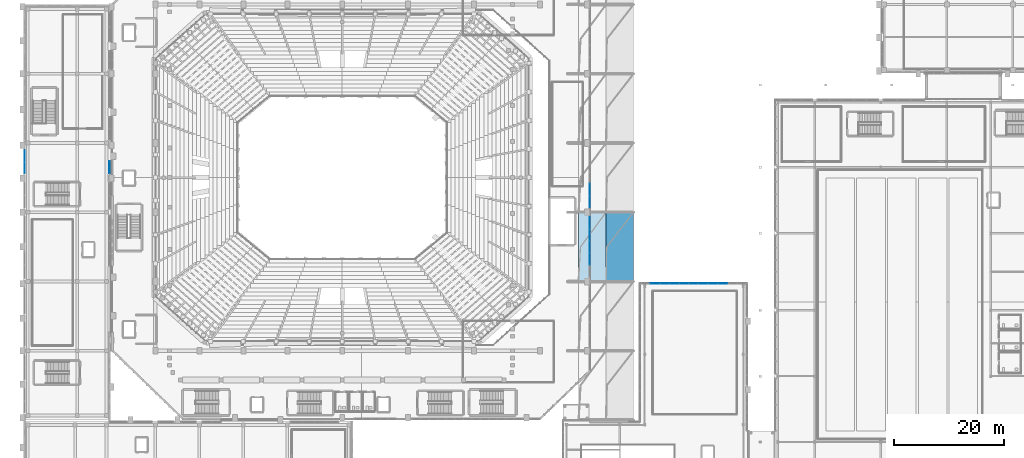
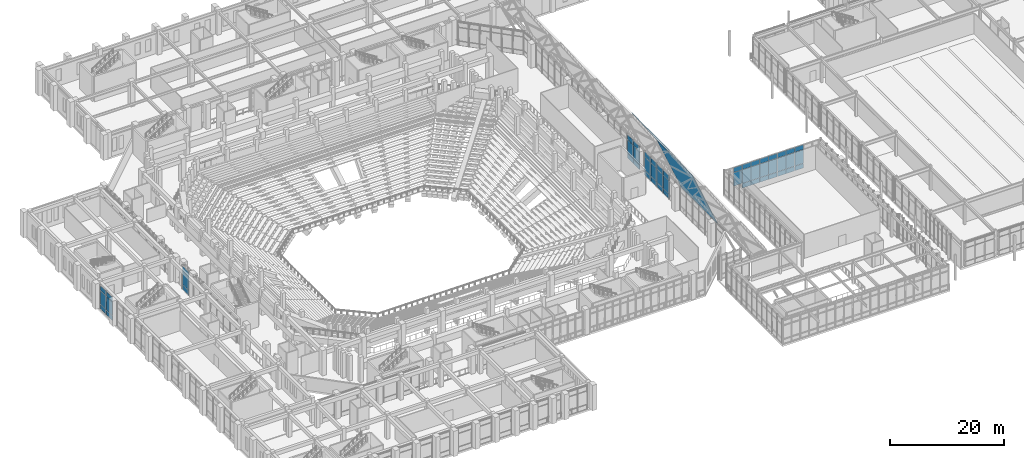
# One storey, part 98 of 159: 52 plates, 5 elements without a shape of their own.
"""IFC4 building model written with IfcOpenShell, lengths in metres."""

from ifc_helpers import new_model, si_unit, derived_unit, direction, frame, origin, origin_2d, place, context, subcontext, project, spatial, polyline, rectangle, outline, extrude, material, layer, layer_set, type_object, element, aggregate, save


model = new_model("IFC4")

# Units and contexts
model_context = context("Model", 3, precision=1e-05, world=origin(), true_north=direction((0.0, 1.0)))
body_context = subcontext(model_context, "Body", "Model", "MODEL_VIEW")
ifc_project = project(units=[si_unit("LENGTHUNIT", "METRE"), si_unit("AREAUNIT", "SQUARE_METRE"), si_unit("VOLUMEUNIT", "CUBIC_METRE"), si_unit("PLANEANGLEUNIT", "RADIAN"), si_unit("MASSUNIT", "GRAM", prefix="KILO"), derived_unit("THERMALTRANSMITTANCEUNIT", [(si_unit("MASSUNIT", "GRAM", prefix="KILO"), 1), (si_unit("TIMEUNIT", "SECOND"), -3), (si_unit("THERMODYNAMICTEMPERATUREUNIT", "KELVIN"), -1)])], contexts=[model_context])

# Site, building, storey
site_placement = place(None, origin())
site = spatial("IfcSite", under=ifc_project, at=site_placement, CompositionType="ELEMENT")
building_placement = place(site_placement, origin())
building = spatial("IfcBuilding", under=site, at=building_placement, Name="Valcora Ridge Arena", CompositionType="ELEMENT")
storey_placement = place(building_placement, frame((0.0, 0.0, 6.0)))
storey = spatial("IfcBuildingStorey", under=building, at=storey_placement, Name="L01", CompositionType="ELEMENT", Elevation=6.0)

# Plates
ifc_material_1 = material(Name="Steel ASTM A572 Grade 50", Category="steel")
ifc_layer_1 = layer(ifc_material_1, 0.048095703125, Name="Steel ASTM A572 Grade 50")
ifc_layer_set_1 = layer_set([ifc_layer_1], Name="Steel ASTM A572 Grade 50")
plate_type_1 = type_object("IfcPlateType", Name="TY-PLATE-PL-SKIRT-13", PredefinedType="SHEET", material=ifc_layer_set_1)
plate_1_placement = place(storey_placement, frame((101.0, 45.199951171875, 13.45361328125), z_axis=(0.831958588032, 0.0, 0.554837731053), x_axis=(0.554837731053, 0.0, -0.831958588032)))
element("IfcPlate", 1, at=plate_1_placement, inside=storey, type_object=plate_type_1, Name="PL-SKIRT-13 PLT-RF-0005", PredefinedType="SHEET", context=body_context, shape_type="SweptSolid", body=[
    extrude(outline(polyline([(0.0, 0.0), (9.0116438017177, 0.0), (9.0116438017177, 12.60009765625), (0.0, 12.60009765625), (0.0, 0.0)])), origin(), (0.0, 0.0, -1.0), 0.048095703125),
])
ifc_layer_2 = layer(ifc_material_1, 0.048095703125, Name="Steel ASTM A572 Grade 50")
ifc_layer_set_2 = layer_set([ifc_layer_2], Name="Steel ASTM A572 Grade 50")
plate_type_2 = type_object("IfcPlateType", Name="TY-PLATE-PL-SKIRT-14", PredefinedType="SHEET", material=ifc_layer_set_2)
plate_2_placement = place(storey_placement, frame((106.0, 45.199951171875, 5.956298828125), z_axis=(0.922302243293, 0.0, 0.386469367501), x_axis=(0.386469367501, 0.0, -0.922302243293)))
element("IfcPlate", 2, at=plate_2_placement, inside=storey, type_object=plate_type_2, Name="PL-SKIRT-14 PLT-RF-0006", PredefinedType="SHEET", context=body_context, shape_type="SweptSolid", body=[
    extrude(outline(polyline([(0.0, 0.0), (12.963536535956582, 0.0), (12.963536535956582, 12.600097656250004), (0.0, 12.600097656250004), (0.0, 0.0)])), origin(), (0.0, 0.0, -1.0), 0.048095703125),
])

# Curtain wall, plates
ifc_material_2 = material(Name="Anodised dark bronze architectural aluminium 6063-T6", Category="aluminium")
ifc_layer_3 = layer(ifc_material_2, 0.179931640625, Name="Anodised dark bronze architectural aluminium 6063-T6")
ifc_layer_set_3 = layer_set([ifc_layer_3], Name="Anodised dark bronze architectural aluminium 6063-T6")
curtain_wall_type_1 = type_object("IfcCurtainWallType", Name="TY-CURTAINWALL-CW-V3-LANCET-194X51", PredefinedType="NOTDEFINED", material=ifc_layer_set_3)
curtain_wall_1_placement = place(storey_placement, origin())
curtain_wall_1 = element("IfcCurtainWall", 3, at=curtain_wall_1_placement, inside=storey, type_object=curtain_wall_type_1, Name="CW-V3-LANCET-194X51 CW-0017", PredefinedType="NOTDEFINED")
ifc_material_3 = material(Name="Low-iron solar-control double glazing SHGC 0.28", Category="glass")
ifc_layer_4 = layer(ifc_material_3, 0.031982421875, Name="Low-iron solar-control double glazing SHGC 0.28")
ifc_layer_set_4 = layer_set([ifc_layer_4], Name="Low-iron solar-control double glazing SHGC 0.28")
plate_type_3 = type_object("IfcPlateType", Name="TY-PLT-CWP-1708X0960", PredefinedType="CURTAIN_PANEL", material=ifc_layer_set_4)
plate_3_placement = place(storey_placement, frame((118.388916015625, 44.85009765625, 0.06005859375), z_axis=(0.0, 0.0, 1.0), x_axis=(1.0, 0.0, 0.0)))
plate_3 = element("IfcPlate", 4, at=plate_3_placement, type_object=plate_type_3, Name="CW-0017/P03-00", PredefinedType="CURTAIN_PANEL", context=body_context, shape_type="SweptSolid", body=[
    extrude(rectangle(XDim=1.7080078125, YDim=0.031982421875, at=origin_2d()), origin(), (0.0, 0.0, 1.0), 0.9599609375),
])
plate_4_placement = place(storey_placement, frame((120.156982421875, 44.85009765625, 0.06005859375), z_axis=(0.0, 0.0, 1.0), x_axis=(1.0, 0.0, 0.0)))
plate_4 = element("IfcPlate", 5, at=plate_4_placement, type_object=plate_type_3, Name="CW-0017/P04-00", PredefinedType="CURTAIN_PANEL", context=body_context, shape_type="SweptSolid", body=[
    extrude(rectangle(XDim=1.7080078125, YDim=0.031982421875, at=origin_2d()), origin(), (0.0, 0.0, 1.0), 0.9599609375),
])
plate_5_placement = place(storey_placement, frame((121.925048828125, 44.85009765625, 0.06005859375), z_axis=(0.0, 0.0, 1.0), x_axis=(1.0, 0.0, 0.0)))
plate_5 = element("IfcPlate", 6, at=plate_5_placement, type_object=plate_type_3, Name="CW-0017/P05-00", PredefinedType="CURTAIN_PANEL", context=body_context, shape_type="SweptSolid", body=[
    extrude(rectangle(XDim=1.7080078125, YDim=0.031982421875, at=origin_2d()), origin(), (0.0, 0.0, 1.0), 0.9599609375),
])
plate_6_placement = place(storey_placement, frame((123.693115234375, 44.85009765625, 0.06005859375), z_axis=(0.0, 0.0, 1.0), x_axis=(1.0, 0.0, 0.0)))
plate_6 = element("IfcPlate", 7, at=plate_6_placement, type_object=plate_type_3, Name="CW-0017/P06-00", PredefinedType="CURTAIN_PANEL", context=body_context, shape_type="SweptSolid", body=[
    extrude(rectangle(XDim=1.7080078125, YDim=0.031982421875, at=origin_2d()), origin(), (0.0, 0.0, 1.0), 0.9599609375),
])
plate_7_placement = place(storey_placement, frame((125.4609375, 44.85009765625, 0.06005859375), z_axis=(0.0, 0.0, 1.0), x_axis=(1.0, 0.0, 0.0)))
plate_7 = element("IfcPlate", 8, at=plate_7_placement, type_object=plate_type_3, Name="CW-0017/P07-00", PredefinedType="CURTAIN_PANEL", context=body_context, shape_type="SweptSolid", body=[
    extrude(rectangle(XDim=1.7080078125, YDim=0.031982421875, at=origin_2d()), origin(), (0.0, 0.0, 1.0), 0.9599609375),
])
ifc_layer_5 = layer(ifc_material_3, 0.031982421875, Name="Low-iron solar-control double glazing SHGC 0.28")
ifc_layer_set_5 = layer_set([ifc_layer_5], Name="Low-iron solar-control double glazing SHGC 0.28")
plate_type_4 = type_object("IfcPlateType", Name="TY-PLT-CWP-1708X1010", PredefinedType="CURTAIN_PANEL", material=ifc_layer_set_5)
plate_8_placement = place(storey_placement, frame((114.85205078125, 44.85009765625, 4.02978515625), z_axis=(0.0, 0.0, 1.0), x_axis=(1.0, 0.0, 0.0)))
plate_8 = element("IfcPlate", 9, at=plate_8_placement, type_object=plate_type_4, Name="CW-0017/P01-02", PredefinedType="CURTAIN_PANEL", context=body_context, shape_type="SweptSolid", body=[
    extrude(rectangle(XDim=1.7080078125, YDim=0.031982421875, at=origin_2d()), origin(), (0.0, 0.0, 1.0), 1.010009765625),
])
plate_9_placement = place(storey_placement, frame((118.388916015625, 44.85009765625, 4.02978515625), z_axis=(0.0, 0.0, 1.0), x_axis=(1.0, 0.0, 0.0)))
plate_9 = element("IfcPlate", 10, at=plate_9_placement, type_object=plate_type_4, Name="CW-0017/P03-02", PredefinedType="CURTAIN_PANEL", context=body_context, shape_type="SweptSolid", body=[
    extrude(rectangle(XDim=1.7080078125, YDim=0.031982421875, at=origin_2d()), origin(), (0.0, 0.0, 1.0), 1.010009765625),
])
plate_10_placement = place(storey_placement, frame((120.156982421875, 44.85009765625, 4.02978515625), z_axis=(0.0, 0.0, 1.0), x_axis=(1.0, 0.0, 0.0)))
plate_10 = element("IfcPlate", 11, at=plate_10_placement, type_object=plate_type_4, Name="CW-0017/P04-02", PredefinedType="CURTAIN_PANEL", context=body_context, shape_type="SweptSolid", body=[
    extrude(rectangle(XDim=1.7080078125, YDim=0.031982421875, at=origin_2d()), origin(), (0.0, 0.0, 1.0), 1.010009765625),
])
plate_11_placement = place(storey_placement, frame((121.925048828125, 44.85009765625, 4.02978515625), z_axis=(0.0, 0.0, 1.0), x_axis=(1.0, 0.0, 0.0)))
plate_11 = element("IfcPlate", 12, at=plate_11_placement, type_object=plate_type_4, Name="CW-0017/P05-02", PredefinedType="CURTAIN_PANEL", context=body_context, shape_type="SweptSolid", body=[
    extrude(rectangle(XDim=1.7080078125, YDim=0.031982421875, at=origin_2d()), origin(), (0.0, 0.0, 1.0), 1.010009765625),
])
plate_12_placement = place(storey_placement, frame((123.693115234375, 44.85009765625, 4.02978515625), z_axis=(0.0, 0.0, 1.0), x_axis=(1.0, 0.0, 0.0)))
plate_12 = element("IfcPlate", 13, at=plate_12_placement, type_object=plate_type_4, Name="CW-0017/P06-02", PredefinedType="CURTAIN_PANEL", context=body_context, shape_type="SweptSolid", body=[
    extrude(rectangle(XDim=1.7080078125, YDim=0.031982421875, at=origin_2d()), origin(), (0.0, 0.0, 1.0), 1.010009765625),
])
plate_13_placement = place(storey_placement, frame((125.4609375, 44.85009765625, 4.02978515625), z_axis=(0.0, 0.0, 1.0), x_axis=(1.0, 0.0, 0.0)))
plate_13 = element("IfcPlate", 14, at=plate_13_placement, type_object=plate_type_4, Name="CW-0017/P07-02", PredefinedType="CURTAIN_PANEL", context=body_context, shape_type="SweptSolid", body=[
    extrude(rectangle(XDim=1.7080078125, YDim=0.031982421875, at=origin_2d()), origin(), (0.0, 0.0, 1.0), 1.010009765625),
])
ifc_layer_6 = layer(ifc_material_3, 0.031982421875, Name="Low-iron solar-control double glazing SHGC 0.28")
ifc_layer_set_6 = layer_set([ifc_layer_6], Name="Low-iron solar-control double glazing SHGC 0.28")
plate_type_5 = type_object("IfcPlateType", Name="TY-PLT-CWP-1708X2890", PredefinedType="CURTAIN_PANEL", material=ifc_layer_set_6)
plate_14_placement = place(storey_placement, frame((114.85205078125, 44.85009765625, 1.080078125), z_axis=(0.0, 0.0, 1.0), x_axis=(1.0, 0.0, 0.0)))
plate_14 = element("IfcPlate", 15, at=plate_14_placement, type_object=plate_type_5, Name="CW-0017/P01-01", PredefinedType="CURTAIN_PANEL", context=body_context, shape_type="SweptSolid", body=[
    extrude(rectangle(XDim=1.7080078125, YDim=0.031982421875, at=origin_2d()), origin(), (0.0, 0.0, 1.0), 2.889892578125),
])
plate_15_placement = place(storey_placement, frame((118.388916015625, 44.85009765625, 1.080078125), z_axis=(0.0, 0.0, 1.0), x_axis=(1.0, 0.0, 0.0)))
plate_15 = element("IfcPlate", 16, at=plate_15_placement, type_object=plate_type_5, Name="CW-0017/P03-01", PredefinedType="CURTAIN_PANEL", context=body_context, shape_type="SweptSolid", body=[
    extrude(rectangle(XDim=1.7080078125, YDim=0.031982421875, at=origin_2d()), origin(), (0.0, 0.0, 1.0), 2.889892578125),
])
plate_16_placement = place(storey_placement, frame((120.156982421875, 44.85009765625, 1.080078125), z_axis=(0.0, 0.0, 1.0), x_axis=(1.0, 0.0, 0.0)))
plate_16 = element("IfcPlate", 17, at=plate_16_placement, type_object=plate_type_5, Name="CW-0017/P04-01", PredefinedType="CURTAIN_PANEL", context=body_context, shape_type="SweptSolid", body=[
    extrude(rectangle(XDim=1.7080078125, YDim=0.031982421875, at=origin_2d()), origin(), (0.0, 0.0, 1.0), 2.889892578125),
])
plate_17_placement = place(storey_placement, frame((121.925048828125, 44.85009765625, 1.080078125), z_axis=(0.0, 0.0, 1.0), x_axis=(1.0, 0.0, 0.0)))
plate_17 = element("IfcPlate", 18, at=plate_17_placement, type_object=plate_type_5, Name="CW-0017/P05-01", PredefinedType="CURTAIN_PANEL", context=body_context, shape_type="SweptSolid", body=[
    extrude(rectangle(XDim=1.7080078125, YDim=0.031982421875, at=origin_2d()), origin(), (0.0, 0.0, 1.0), 2.889892578125),
])
plate_18_placement = place(storey_placement, frame((123.693115234375, 44.85009765625, 1.080078125), z_axis=(0.0, 0.0, 1.0), x_axis=(1.0, 0.0, 0.0)))
plate_18 = element("IfcPlate", 19, at=plate_18_placement, type_object=plate_type_5, Name="CW-0017/P06-01", PredefinedType="CURTAIN_PANEL", context=body_context, shape_type="SweptSolid", body=[
    extrude(rectangle(XDim=1.7080078125, YDim=0.031982421875, at=origin_2d()), origin(), (0.0, 0.0, 1.0), 2.889892578125),
])
plate_19_placement = place(storey_placement, frame((125.4609375, 44.85009765625, 1.080078125), z_axis=(0.0, 0.0, 1.0), x_axis=(1.0, 0.0, 0.0)))
plate_19 = element("IfcPlate", 20, at=plate_19_placement, type_object=plate_type_5, Name="CW-0017/P07-01", PredefinedType="CURTAIN_PANEL", context=body_context, shape_type="SweptSolid", body=[
    extrude(rectangle(XDim=1.7080078125, YDim=0.031982421875, at=origin_2d()), origin(), (0.0, 0.0, 1.0), 2.889892578125),
])
ifc_layer_7 = layer(ifc_material_3, 0.031982421875, Name="Low-iron solar-control double glazing SHGC 0.28")
ifc_layer_set_7 = layer_set([ifc_layer_7], Name="Low-iron solar-control double glazing SHGC 0.28")
plate_type_6 = type_object("IfcPlateType", Name="TY-PLT-CWP-1709X0960", PredefinedType="CURTAIN_PANEL", material=ifc_layer_set_7)
plate_20_placement = place(storey_placement, frame((116.62060546875, 44.85009765625, 0.06005859375), z_axis=(0.0, 0.0, 1.0), x_axis=(1.0, 0.0, 0.0)))
plate_20 = element("IfcPlate", 21, at=plate_20_placement, type_object=plate_type_6, Name="CW-0017/P02-00", PredefinedType="CURTAIN_PANEL", context=body_context, shape_type="SweptSolid", body=[
    extrude(rectangle(XDim=1.708984375, YDim=0.031982421875, at=origin_2d()), origin(), (0.0, 0.0, 1.0), 0.9599609375),
])
plate_21_placement = place(storey_placement, frame((127.2294921875, 44.85009765625, 0.06005859375), z_axis=(0.0, 0.0, 1.0), x_axis=(1.0, 0.0, 0.0)))
plate_21 = element("IfcPlate", 22, at=plate_21_placement, type_object=plate_type_6, Name="CW-0017/P08-00", PredefinedType="CURTAIN_PANEL", context=body_context, shape_type="SweptSolid", body=[
    extrude(rectangle(XDim=1.708984375, YDim=0.031982421875, at=origin_2d()), origin(), (0.0, 0.0, 1.0), 0.9599609375),
])
ifc_layer_8 = layer(ifc_material_3, 0.031982421875, Name="Low-iron solar-control double glazing SHGC 0.28")
ifc_layer_set_8 = layer_set([ifc_layer_8], Name="Low-iron solar-control double glazing SHGC 0.28")
plate_type_7 = type_object("IfcPlateType", Name="TY-PLT-CWP-1709X1010", PredefinedType="CURTAIN_PANEL", material=ifc_layer_set_8)
plate_22_placement = place(storey_placement, frame((116.62060546875, 44.85009765625, 4.02978515625), z_axis=(0.0, 0.0, 1.0), x_axis=(1.0, 0.0, 0.0)))
plate_22 = element("IfcPlate", 23, at=plate_22_placement, type_object=plate_type_7, Name="CW-0017/P02-02", PredefinedType="CURTAIN_PANEL", context=body_context, shape_type="SweptSolid", body=[
    extrude(rectangle(XDim=1.708984375, YDim=0.031982421875, at=origin_2d()), origin(), (0.0, 0.0, 1.0), 1.010009765625),
])
plate_23_placement = place(storey_placement, frame((127.2294921875, 44.85009765625, 4.02978515625), z_axis=(0.0, 0.0, 1.0), x_axis=(1.0, 0.0, 0.0)))
plate_23 = element("IfcPlate", 24, at=plate_23_placement, type_object=plate_type_7, Name="CW-0017/P08-02", PredefinedType="CURTAIN_PANEL", context=body_context, shape_type="SweptSolid", body=[
    extrude(rectangle(XDim=1.708984375, YDim=0.031982421875, at=origin_2d()), origin(), (0.0, 0.0, 1.0), 1.010009765625),
])
ifc_layer_9 = layer(ifc_material_3, 0.031982421875, Name="Low-iron solar-control double glazing SHGC 0.28")
ifc_layer_set_9 = layer_set([ifc_layer_9], Name="Low-iron solar-control double glazing SHGC 0.28")
plate_type_8 = type_object("IfcPlateType", Name="TY-PLT-CWP-1709X2890", PredefinedType="CURTAIN_PANEL", material=ifc_layer_set_9)
plate_24_placement = place(storey_placement, frame((116.62060546875, 44.85009765625, 1.080078125), z_axis=(0.0, 0.0, 1.0), x_axis=(1.0, 0.0, 0.0)))
plate_24 = element("IfcPlate", 25, at=plate_24_placement, type_object=plate_type_8, Name="CW-0017/P02-01", PredefinedType="CURTAIN_PANEL", context=body_context, shape_type="SweptSolid", body=[
    extrude(rectangle(XDim=1.708984375, YDim=0.031982421875, at=origin_2d()), origin(), (0.0, 0.0, 1.0), 2.889892578125),
])
plate_25_placement = place(storey_placement, frame((127.2294921875, 44.85009765625, 1.080078125), z_axis=(0.0, 0.0, 1.0), x_axis=(1.0, 0.0, 0.0)))
plate_25 = element("IfcPlate", 26, at=plate_25_placement, type_object=plate_type_8, Name="CW-0017/P08-01", PredefinedType="CURTAIN_PANEL", context=body_context, shape_type="SweptSolid", body=[
    extrude(rectangle(XDim=1.708984375, YDim=0.031982421875, at=origin_2d()), origin(), (0.0, 0.0, 1.0), 2.889892578125),
])
aggregate(curtain_wall_1, [plate_14, plate_8, plate_20, plate_24, plate_22, plate_3, plate_15, plate_9, plate_4, plate_16, plate_10, plate_5, plate_17, plate_11, plate_6, plate_18, plate_12, plate_7, plate_19, plate_13, plate_21, plate_25, plate_23])

ifc_layer_10 = layer(ifc_material_2, 0.14990234375, Name="Anodised dark bronze architectural aluminium 6063-T6")
ifc_layer_set_10 = layer_set([ifc_layer_10], Name="Anodised dark bronze architectural aluminium 6063-T6")
curtain_wall_type_2 = type_object("IfcCurtainWallType", Name="TY-CURTAINWALL-CW-V4-CLUB-043X50", PredefinedType="NOTDEFINED", material=ifc_layer_set_10)
curtain_wall_2_placement = place(storey_placement, origin())
curtain_wall_2 = element("IfcCurtainWall", 27, at=curtain_wall_2_placement, inside=storey, type_object=curtain_wall_type_2, Name="CW-V4-CLUB-043X50 CW-0229", PredefinedType="NOTDEFINED")
ifc_layer_11 = layer(ifc_material_3, 0.028076171875, Name="Low-iron solar-control double glazing SHGC 0.28")
ifc_layer_set_11 = layer_set([ifc_layer_11], Name="Low-iron solar-control double glazing SHGC 0.28")
plate_type_9 = type_object("IfcPlateType", Name="TY-PLT-CWP-2085X0975", PredefinedType="CURTAIN_PANEL", material=ifc_layer_set_11)
plate_26_placement = place(storey_placement, frame((0.219970703125, 65.9326171875, 0.050048828125), z_axis=(0.0, 0.0, 1.0), x_axis=(0.0, 1.0, 0.0)))
plate_26 = element("IfcPlate", 28, at=plate_26_placement, type_object=plate_type_9, Name="CW-0229/P00-00", PredefinedType="CURTAIN_PANEL", context=body_context, shape_type="SweptSolid", body=[
    extrude(rectangle(XDim=2.0849609375, YDim=0.028076171875, at=origin_2d()), origin(), (0.0, 0.0, 1.0), 0.97509765625),
])
plate_27_placement = place(storey_placement, frame((0.219970703125, 68.0673828125, 0.050048828125), z_axis=(0.0, 0.0, 1.0), x_axis=(0.0, 1.0, 0.0)))
plate_27 = element("IfcPlate", 29, at=plate_27_placement, type_object=plate_type_9, Name="CW-0229/P01-00", PredefinedType="CURTAIN_PANEL", context=body_context, shape_type="SweptSolid", body=[
    extrude(rectangle(XDim=2.0849609375, YDim=0.028076171875, at=origin_2d()), origin(), (0.0, 0.0, 1.0), 0.97509765625),
])
ifc_layer_12 = layer(ifc_material_3, 0.028076171875, Name="Low-iron solar-control double glazing SHGC 0.28")
ifc_layer_set_12 = layer_set([ifc_layer_12], Name="Low-iron solar-control double glazing SHGC 0.28")
plate_type_10 = type_object("IfcPlateType", Name="TY-PLT-CWP-2085X1025", PredefinedType="CURTAIN_PANEL", material=ifc_layer_set_12)
plate_28_placement = place(storey_placement, frame((0.219970703125, 65.9326171875, 3.965087890625), z_axis=(0.0, 0.0, 1.0), x_axis=(0.0, 1.0, 0.0)))
plate_28 = element("IfcPlate", 30, at=plate_28_placement, type_object=plate_type_10, Name="CW-0229/P00-02", PredefinedType="CURTAIN_PANEL", context=body_context, shape_type="SweptSolid", body=[
    extrude(rectangle(XDim=2.0849609375, YDim=0.028076171875, at=origin_2d()), origin(), (0.0, 0.0, 1.0), 1.02490234375),
])
plate_29_placement = place(storey_placement, frame((0.219970703125, 68.0673828125, 3.965087890625), z_axis=(0.0, 0.0, 1.0), x_axis=(0.0, 1.0, 0.0)))
plate_29 = element("IfcPlate", 31, at=plate_29_placement, type_object=plate_type_10, Name="CW-0229/P01-02", PredefinedType="CURTAIN_PANEL", context=body_context, shape_type="SweptSolid", body=[
    extrude(rectangle(XDim=2.0849609375, YDim=0.028076171875, at=origin_2d()), origin(), (0.0, 0.0, 1.0), 1.02490234375),
])
ifc_layer_13 = layer(ifc_material_3, 0.028076171875, Name="Low-iron solar-control double glazing SHGC 0.28")
ifc_layer_set_13 = layer_set([ifc_layer_13], Name="Low-iron solar-control double glazing SHGC 0.28")
plate_type_11 = type_object("IfcPlateType", Name="TY-PLT-CWP-2085X2840", PredefinedType="CURTAIN_PANEL", material=ifc_layer_set_13)
plate_30_placement = place(storey_placement, frame((0.219970703125, 65.9326171875, 1.0751953125), z_axis=(0.0, 0.0, 1.0), x_axis=(0.0, 1.0, 0.0)))
plate_30 = element("IfcPlate", 32, at=plate_30_placement, type_object=plate_type_11, Name="CW-0229/P00-01", PredefinedType="CURTAIN_PANEL", context=body_context, shape_type="SweptSolid", body=[
    extrude(rectangle(XDim=2.0849609375, YDim=0.028076171875, at=origin_2d()), origin(), (0.0, 0.0, 1.0), 2.840087890625),
])
plate_31_placement = place(storey_placement, frame((0.219970703125, 68.0673828125, 1.0751953125), z_axis=(0.0, 0.0, 1.0), x_axis=(0.0, 1.0, 0.0)))
plate_31 = element("IfcPlate", 33, at=plate_31_placement, type_object=plate_type_11, Name="CW-0229/P01-01", PredefinedType="CURTAIN_PANEL", context=body_context, shape_type="SweptSolid", body=[
    extrude(rectangle(XDim=2.0849609375, YDim=0.028076171875, at=origin_2d()), origin(), (0.0, 0.0, 1.0), 2.840087890625),
])
aggregate(curtain_wall_2, [plate_26, plate_30, plate_28, plate_27, plate_31, plate_29])

# Curtain wall, plate
ifc_layer_14 = layer(ifc_material_2, 0.14990234375, Name="Anodised dark bronze architectural aluminium 6063-T6")
ifc_layer_set_14 = layer_set([ifc_layer_14], Name="Anodised dark bronze architectural aluminium 6063-T6")
curtain_wall_type_3 = type_object("IfcCurtainWallType", Name="TY-CURTAINWALL-CW-V1-EAST-109X50", PredefinedType="NOTDEFINED", material=ifc_layer_set_14)
curtain_wall_3_placement = place(storey_placement, origin())
curtain_wall_3 = element("IfcCurtainWall", 34, at=curtain_wall_3_placement, inside=storey, type_object=curtain_wall_type_3, Name="CW-V1-EAST-109X50 CW-0108", PredefinedType="NOTDEFINED")
ifc_layer_15 = layer(ifc_material_3, 0.028076171875, Name="Low-iron solar-control double glazing SHGC 0.28")
ifc_layer_set_15 = layer_set([ifc_layer_15], Name="Low-iron solar-control double glazing SHGC 0.28")
plate_type_12 = type_object("IfcPlateType", Name="TY-PLT-CWP-2109X0975", PredefinedType="CURTAIN_PANEL", material=ifc_layer_set_15)
plate_32_placement = place(storey_placement, frame((103.050048828125, 55.85546875, 0.050048828125), z_axis=(0.0, 0.0, 1.0), x_axis=(0.0, 1.0, 0.0)))
plate_32 = element("IfcPlate", 35, at=plate_32_placement, type_object=plate_type_12, Name="CW-0108/P04-00", PredefinedType="CURTAIN_PANEL", context=body_context, shape_type="SweptSolid", body=[
    extrude(rectangle(XDim=2.10888671875, YDim=0.028076171875, at=origin_2d()), origin(), (0.0, 0.0, 1.0), 0.97509765625),
])

curtain_wall_4_placement = place(storey_placement, origin())
curtain_wall_4 = element("IfcCurtainWall", 36, at=curtain_wall_4_placement, inside=storey, type_object=curtain_wall_type_3, Name="CW-V1-EAST-109X50 CW-0109", PredefinedType="NOTDEFINED")
plate_33_placement = place(storey_placement, frame((103.050048828125, 59.744384765625, 0.050048828125), z_axis=(0.0, 0.0, 1.0), x_axis=(0.0, 1.0, 0.0)))
plate_33 = element("IfcPlate", 37, at=plate_33_placement, type_object=plate_type_12, Name="CW-0109/P00-00", PredefinedType="CURTAIN_PANEL", context=body_context, shape_type="SweptSolid", body=[
    extrude(rectangle(XDim=2.10888671875, YDim=0.028076171875, at=origin_2d()), origin(), (0.0, 0.0, 1.0), 0.97509765625),
])

# Plate
ifc_layer_16 = layer(ifc_material_3, 0.028076171875, Name="Low-iron solar-control double glazing SHGC 0.28")
ifc_layer_set_16 = layer_set([ifc_layer_16], Name="Low-iron solar-control double glazing SHGC 0.28")
plate_type_13 = type_object("IfcPlateType", Name="TY-PLT-CWP-2109X1025", PredefinedType="CURTAIN_PANEL", material=ifc_layer_set_16)
plate_34_placement = place(storey_placement, frame((103.050048828125, 55.85546875, 3.965087890625), z_axis=(0.0, 0.0, 1.0), x_axis=(0.0, 1.0, 0.0)))
plate_34 = element("IfcPlate", 38, at=plate_34_placement, type_object=plate_type_13, Name="CW-0108/P04-02", PredefinedType="CURTAIN_PANEL", context=body_context, shape_type="SweptSolid", body=[
    extrude(rectangle(XDim=2.10888671875, YDim=0.028076171875, at=origin_2d()), origin(), (0.0, 0.0, 1.0), 1.02490234375),
])

plate_35_placement = place(storey_placement, frame((103.050048828125, 59.744384765625, 3.965087890625), z_axis=(0.0, 0.0, 1.0), x_axis=(0.0, 1.0, 0.0)))
plate_35 = element("IfcPlate", 39, at=plate_35_placement, type_object=plate_type_13, Name="CW-0109/P00-02", PredefinedType="CURTAIN_PANEL", context=body_context, shape_type="SweptSolid", body=[
    extrude(rectangle(XDim=2.10888671875, YDim=0.028076171875, at=origin_2d()), origin(), (0.0, 0.0, 1.0), 1.02490234375),
])

ifc_layer_17 = layer(ifc_material_3, 0.028076171875, Name="Low-iron solar-control double glazing SHGC 0.28")
ifc_layer_set_17 = layer_set([ifc_layer_17], Name="Low-iron solar-control double glazing SHGC 0.28")
plate_type_14 = type_object("IfcPlateType", Name="TY-PLT-CWP-2109X2840", PredefinedType="CURTAIN_PANEL", material=ifc_layer_set_17)
plate_36_placement = place(storey_placement, frame((103.050048828125, 55.85546875, 1.0751953125), z_axis=(0.0, 0.0, 1.0), x_axis=(0.0, 1.0, 0.0)))
plate_36 = element("IfcPlate", 40, at=plate_36_placement, type_object=plate_type_14, Name="CW-0108/P04-01", PredefinedType="CURTAIN_PANEL", context=body_context, shape_type="SweptSolid", body=[
    extrude(rectangle(XDim=2.10888671875, YDim=0.028076171875, at=origin_2d()), origin(), (0.0, 0.0, 1.0), 2.840087890625),
])

plate_37_placement = place(storey_placement, frame((103.050048828125, 59.744384765625, 1.0751953125), z_axis=(0.0, 0.0, 1.0), x_axis=(0.0, 1.0, 0.0)))
plate_37 = element("IfcPlate", 41, at=plate_37_placement, type_object=plate_type_14, Name="CW-0109/P00-01", PredefinedType="CURTAIN_PANEL", context=body_context, shape_type="SweptSolid", body=[
    extrude(rectangle(XDim=2.10888671875, YDim=0.028076171875, at=origin_2d()), origin(), (0.0, 0.0, 1.0), 2.840087890625),
])

ifc_layer_18 = layer(ifc_material_3, 0.028076171875, Name="Low-iron solar-control double glazing SHGC 0.28")
ifc_layer_set_18 = layer_set([ifc_layer_18], Name="Low-iron solar-control double glazing SHGC 0.28")
plate_type_15 = type_object("IfcPlateType", Name="TY-PLT-CWP-2134X0975", PredefinedType="CURTAIN_PANEL", material=ifc_layer_set_18)
plate_38_placement = place(storey_placement, frame((103.050048828125, 49.31591796875, 0.050048828125), z_axis=(0.0, 0.0, 1.0), x_axis=(0.0, 1.0, 0.0)))
plate_38 = element("IfcPlate", 42, at=plate_38_placement, type_object=plate_type_15, Name="CW-0108/P01-00", PredefinedType="CURTAIN_PANEL", context=body_context, shape_type="SweptSolid", body=[
    extrude(rectangle(XDim=2.134033203125, YDim=0.028076171875, at=origin_2d()), origin(), (0.0, 0.0, 1.0), 0.97509765625),
])

plate_39_placement = place(storey_placement, frame((103.050048828125, 51.5, 0.050048828125), z_axis=(0.0, 0.0, 1.0), x_axis=(0.0, 1.0, 0.0)))
plate_39 = element("IfcPlate", 43, at=plate_39_placement, type_object=plate_type_15, Name="CW-0108/P02-00", PredefinedType="CURTAIN_PANEL", context=body_context, shape_type="SweptSolid", body=[
    extrude(rectangle(XDim=2.134033203125, YDim=0.028076171875, at=origin_2d()), origin(), (0.0, 0.0, 1.0), 0.97509765625),
])

plate_40_placement = place(storey_placement, frame((103.050048828125, 53.68408203125, 0.050048828125), z_axis=(0.0, 0.0, 1.0), x_axis=(0.0, 1.0, 0.0)))
plate_40 = element("IfcPlate", 44, at=plate_40_placement, type_object=plate_type_15, Name="CW-0108/P03-00", PredefinedType="CURTAIN_PANEL", context=body_context, shape_type="SweptSolid", body=[
    extrude(rectangle(XDim=2.134033203125, YDim=0.028076171875, at=origin_2d()), origin(), (0.0, 0.0, 1.0), 0.97509765625),
])

plate_41_placement = place(storey_placement, frame((103.050048828125, 61.916015625, 0.050048828125), z_axis=(0.0, 0.0, 1.0), x_axis=(0.0, 1.0, 0.0)))
plate_41 = element("IfcPlate", 45, at=plate_41_placement, type_object=plate_type_15, Name="CW-0109/P01-00", PredefinedType="CURTAIN_PANEL", context=body_context, shape_type="SweptSolid", body=[
    extrude(rectangle(XDim=2.134033203125, YDim=0.028076171875, at=origin_2d()), origin(), (0.0, 0.0, 1.0), 0.97509765625),
])

ifc_layer_19 = layer(ifc_material_3, 0.028076171875, Name="Low-iron solar-control double glazing SHGC 0.28")
ifc_layer_set_19 = layer_set([ifc_layer_19], Name="Low-iron solar-control double glazing SHGC 0.28")
plate_type_16 = type_object("IfcPlateType", Name="TY-PLT-CWP-2134X1025", PredefinedType="CURTAIN_PANEL", material=ifc_layer_set_19)
plate_42_placement = place(storey_placement, frame((103.050048828125, 49.31591796875, 3.965087890625), z_axis=(0.0, 0.0, 1.0), x_axis=(0.0, 1.0, 0.0)))
plate_42 = element("IfcPlate", 46, at=plate_42_placement, type_object=plate_type_16, Name="CW-0108/P01-02", PredefinedType="CURTAIN_PANEL", context=body_context, shape_type="SweptSolid", body=[
    extrude(rectangle(XDim=2.134033203125, YDim=0.028076171875, at=origin_2d()), origin(), (0.0, 0.0, 1.0), 1.02490234375),
])

plate_43_placement = place(storey_placement, frame((103.050048828125, 51.5, 3.965087890625), z_axis=(0.0, 0.0, 1.0), x_axis=(0.0, 1.0, 0.0)))
plate_43 = element("IfcPlate", 47, at=plate_43_placement, type_object=plate_type_16, Name="CW-0108/P02-02", PredefinedType="CURTAIN_PANEL", context=body_context, shape_type="SweptSolid", body=[
    extrude(rectangle(XDim=2.134033203125, YDim=0.028076171875, at=origin_2d()), origin(), (0.0, 0.0, 1.0), 1.02490234375),
])

plate_44_placement = place(storey_placement, frame((103.050048828125, 53.68408203125, 3.965087890625), z_axis=(0.0, 0.0, 1.0), x_axis=(0.0, 1.0, 0.0)))
plate_44 = element("IfcPlate", 48, at=plate_44_placement, type_object=plate_type_16, Name="CW-0108/P03-02", PredefinedType="CURTAIN_PANEL", context=body_context, shape_type="SweptSolid", body=[
    extrude(rectangle(XDim=2.134033203125, YDim=0.028076171875, at=origin_2d()), origin(), (0.0, 0.0, 1.0), 1.02490234375),
])

plate_45_placement = place(storey_placement, frame((103.050048828125, 61.916015625, 3.965087890625), z_axis=(0.0, 0.0, 1.0), x_axis=(0.0, 1.0, 0.0)))
plate_45 = element("IfcPlate", 49, at=plate_45_placement, type_object=plate_type_16, Name="CW-0109/P01-02", PredefinedType="CURTAIN_PANEL", context=body_context, shape_type="SweptSolid", body=[
    extrude(rectangle(XDim=2.134033203125, YDim=0.028076171875, at=origin_2d()), origin(), (0.0, 0.0, 1.0), 1.02490234375),
])

ifc_layer_20 = layer(ifc_material_3, 0.028076171875, Name="Low-iron solar-control double glazing SHGC 0.28")
ifc_layer_set_20 = layer_set([ifc_layer_20], Name="Low-iron solar-control double glazing SHGC 0.28")
plate_type_17 = type_object("IfcPlateType", Name="TY-PLT-CWP-2134X2840", PredefinedType="CURTAIN_PANEL", material=ifc_layer_set_20)
plate_46_placement = place(storey_placement, frame((103.050048828125, 49.31591796875, 1.0751953125), z_axis=(0.0, 0.0, 1.0), x_axis=(0.0, 1.0, 0.0)))
plate_46 = element("IfcPlate", 50, at=plate_46_placement, type_object=plate_type_17, Name="CW-0108/P01-01", PredefinedType="CURTAIN_PANEL", context=body_context, shape_type="SweptSolid", body=[
    extrude(rectangle(XDim=2.134033203125, YDim=0.028076171875, at=origin_2d()), origin(), (0.0, 0.0, 1.0), 2.840087890625),
])

plate_47_placement = place(storey_placement, frame((103.050048828125, 51.5, 1.0751953125), z_axis=(0.0, 0.0, 1.0), x_axis=(0.0, 1.0, 0.0)))
plate_47 = element("IfcPlate", 51, at=plate_47_placement, type_object=plate_type_17, Name="CW-0108/P02-01", PredefinedType="CURTAIN_PANEL", context=body_context, shape_type="SweptSolid", body=[
    extrude(rectangle(XDim=2.134033203125, YDim=0.028076171875, at=origin_2d()), origin(), (0.0, 0.0, 1.0), 2.840087890625),
])

plate_48_placement = place(storey_placement, frame((103.050048828125, 53.68408203125, 1.0751953125), z_axis=(0.0, 0.0, 1.0), x_axis=(0.0, 1.0, 0.0)))
plate_48 = element("IfcPlate", 52, at=plate_48_placement, type_object=plate_type_17, Name="CW-0108/P03-01", PredefinedType="CURTAIN_PANEL", context=body_context, shape_type="SweptSolid", body=[
    extrude(rectangle(XDim=2.134033203125, YDim=0.028076171875, at=origin_2d()), origin(), (0.0, 0.0, 1.0), 2.840087890625),
])

aggregate(curtain_wall_3, [plate_38, plate_46, plate_42, plate_39, plate_47, plate_43, plate_40, plate_48, plate_44, plate_32, plate_36, plate_34])

plate_49_placement = place(storey_placement, frame((103.050048828125, 61.916015625, 1.0751953125), z_axis=(0.0, 0.0, 1.0), x_axis=(0.0, 1.0, 0.0)))
plate_49 = element("IfcPlate", 53, at=plate_49_placement, type_object=plate_type_17, Name="CW-0109/P01-01", PredefinedType="CURTAIN_PANEL", context=body_context, shape_type="SweptSolid", body=[
    extrude(rectangle(XDim=2.134033203125, YDim=0.028076171875, at=origin_2d()), origin(), (0.0, 0.0, 1.0), 2.840087890625),
])

aggregate(curtain_wall_4, [plate_33, plate_37, plate_35, plate_41, plate_49, plate_45])

# Curtain wall, plates
ifc_layer_21 = layer(ifc_material_2, 0.14990234375, Name="Anodised dark bronze architectural aluminium 6063-T6")
ifc_layer_set_21 = layer_set([ifc_layer_21], Name="Anodised dark bronze architectural aluminium 6063-T6")
curtain_wall_type_4 = type_object("IfcCurtainWallType", Name="TY-CURTAINWALL-CW-V4-CLUB-023X50", PredefinedType="NOTDEFINED", material=ifc_layer_set_21)
curtain_wall_5_placement = place(storey_placement, origin())
curtain_wall_5 = element("IfcCurtainWall", 54, at=curtain_wall_5_placement, inside=storey, type_object=curtain_wall_type_4, Name="CW-V4-CLUB-023X50 CW-0232", PredefinedType="NOTDEFINED")
ifc_layer_22 = layer(ifc_material_3, 0.028076171875, Name="Low-iron solar-control double glazing SHGC 0.28")
ifc_layer_set_22 = layer_set([ifc_layer_22], Name="Low-iron solar-control double glazing SHGC 0.28")
plate_type_18 = type_object("IfcPlateType", Name="TY-PLT-CWP-2220X0975", PredefinedType="CURTAIN_PANEL", material=ifc_layer_set_22)
plate_50_placement = place(storey_placement, frame((15.64990234375, 66.0, 0.050048828125), z_axis=(0.0, 0.0, 1.0), x_axis=(0.0, 1.0, 0.0)))
plate_50 = element("IfcPlate", 55, at=plate_50_placement, type_object=plate_type_18, Name="CW-0232/P00-00", PredefinedType="CURTAIN_PANEL", context=body_context, shape_type="SweptSolid", body=[
    extrude(rectangle(XDim=2.219970703125, YDim=0.028076171875, at=origin_2d()), origin(), (0.0, 0.0, 1.0), 0.97509765625),
])
ifc_layer_23 = layer(ifc_material_3, 0.028076171875, Name="Low-iron solar-control double glazing SHGC 0.28")
ifc_layer_set_23 = layer_set([ifc_layer_23], Name="Low-iron solar-control double glazing SHGC 0.28")
plate_type_19 = type_object("IfcPlateType", Name="TY-PLT-CWP-2220X1025", PredefinedType="CURTAIN_PANEL", material=ifc_layer_set_23)
plate_51_placement = place(storey_placement, frame((15.64990234375, 66.0, 3.965087890625), z_axis=(0.0, 0.0, 1.0), x_axis=(0.0, 1.0, 0.0)))
plate_51 = element("IfcPlate", 56, at=plate_51_placement, type_object=plate_type_19, Name="CW-0232/P00-02", PredefinedType="CURTAIN_PANEL", context=body_context, shape_type="SweptSolid", body=[
    extrude(rectangle(XDim=2.219970703125, YDim=0.028076171875, at=origin_2d()), origin(), (0.0, 0.0, 1.0), 1.02490234375),
])
ifc_layer_24 = layer(ifc_material_3, 0.028076171875, Name="Low-iron solar-control double glazing SHGC 0.28")
ifc_layer_set_24 = layer_set([ifc_layer_24], Name="Low-iron solar-control double glazing SHGC 0.28")
plate_type_20 = type_object("IfcPlateType", Name="TY-PLT-CWP-2220X2840", PredefinedType="CURTAIN_PANEL", material=ifc_layer_set_24)
plate_52_placement = place(storey_placement, frame((15.64990234375, 66.0, 1.0751953125), z_axis=(0.0, 0.0, 1.0), x_axis=(0.0, 1.0, 0.0)))
plate_52 = element("IfcPlate", 57, at=plate_52_placement, type_object=plate_type_20, Name="CW-0232/P00-01", PredefinedType="CURTAIN_PANEL", context=body_context, shape_type="SweptSolid", body=[
    extrude(rectangle(XDim=2.219970703125, YDim=0.028076171875, at=origin_2d()), origin(), (0.0, 0.0, 1.0), 2.840087890625),
])
aggregate(curtain_wall_5, [plate_50, plate_52, plate_51])

save(model, "model.ifc")
